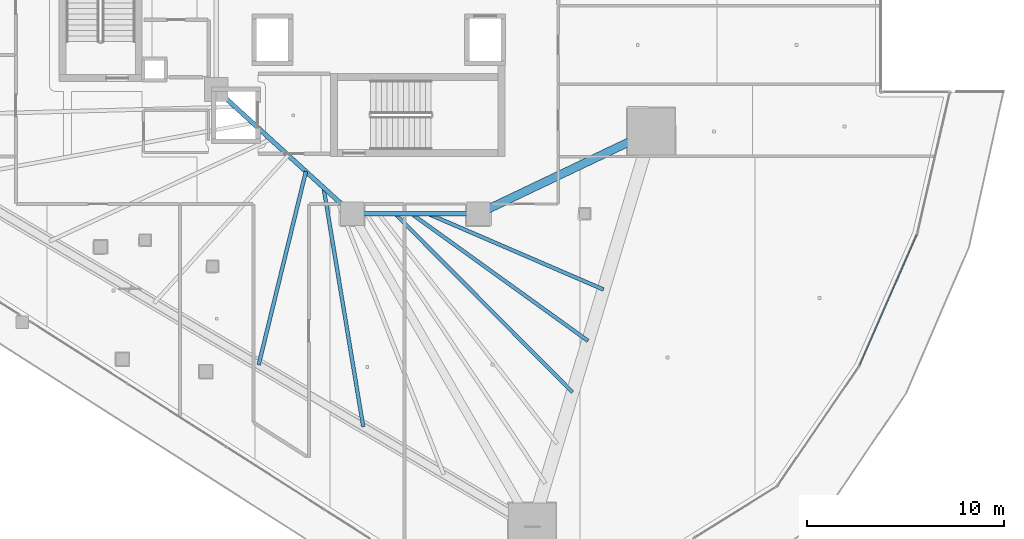
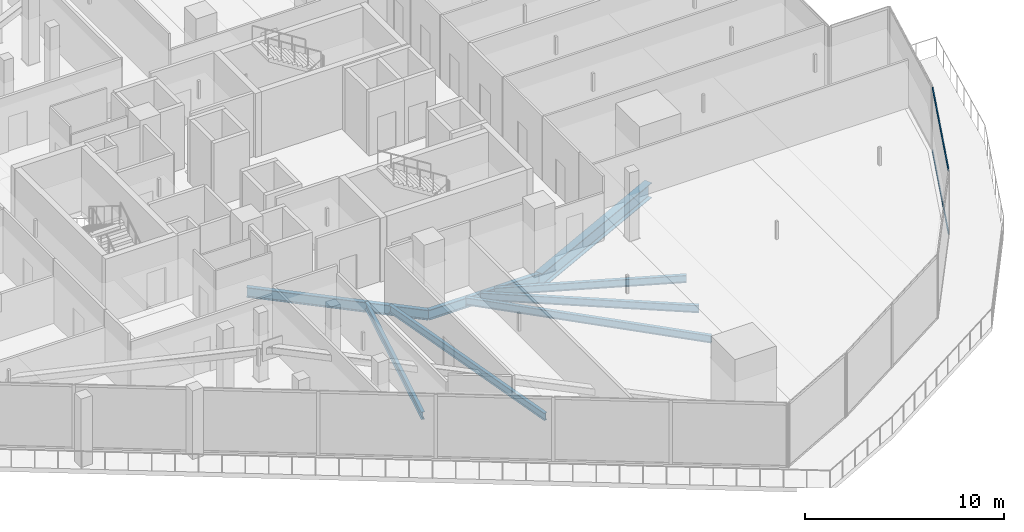
# One storey, part 14 of 52: 8 beams, 2 members, 1 element without a shape of its own.
"""IFC4 building model written with IfcOpenShell, lengths in metres."""

from ifc_helpers import new_model, si_unit, direction, frame, origin, origin_2d, place, context, subcontext, project, spatial, hollow_rectangle, i_section, extrude, material, layer, layer_set, material_profile, profile_set, type_object, element, aggregate, save


model = new_model("IFC4")

# Units and contexts
model_context = context("Model", 3, precision=1e-05, world=origin(), true_north=direction((0.0, 1.0)))
body_context = subcontext(model_context, "Body", "Model", "MODEL_VIEW")
ifc_project = project(units=[si_unit("LENGTHUNIT", "METRE"), si_unit("AREAUNIT", "SQUARE_METRE"), si_unit("VOLUMEUNIT", "CUBIC_METRE"), si_unit("PLANEANGLEUNIT", "RADIAN"), si_unit("MASSUNIT", "GRAM", prefix="KILO")], contexts=[model_context])

# Site, building, storey
site_placement = place(None, origin())
site = spatial("IfcSite", under=ifc_project, at=site_placement, CompositionType="ELEMENT")
building_placement = place(site_placement, origin())
building = spatial("IfcBuilding", under=site, at=building_placement, Name="Qorvath Tower", CompositionType="ELEMENT")
storey_placement = place(building_placement, frame((0.0, 0.0, 61.800048828125)))
storey = spatial("IfcBuildingStorey", under=building, at=storey_placement, Name="L13", CompositionType="ELEMENT", Elevation=61.800048828125)

# Beams
ifc_material_1 = material(Name="Steel ASTM A992 Grade 50", Category="steel")
ifc_material_profile_1 = material_profile(ifc_material_1, i_section(OverallWidth=0.422119140625, OverallDepth=0.93310546875, WebThickness=0.021240234375, FlangeThickness=0.039794921875, FilletRadius=0.02392578125, at=origin_2d()), Name="W36x262")
ifc_profile_set_1 = profile_set([ifc_material_profile_1], Name="Steel ASTM A992 Grade 50")
beam_type_1 = type_object("IfcBeamType", Name="BM-FG1", PredefinedType="BEAM", material=ifc_profile_set_1)
beam_1_placement = place(storey_placement, frame((-17.199951171875, -11.449951171875, -0.74658203125), z_axis=(0.902955751435, 0.429733534821, 0.0), x_axis=(-0.429733534821, 0.902955751435, 0.0)))
element("IfcBeam", 1, at=beam_1_placement, inside=storey, type_object=beam_type_1, Name="Radial Floor Girder CC3-MC4 L13", PredefinedType="BEAM", context=body_context, shape_type="SweptSolid", body=[
    extrude(i_section(OverallWidth=0.422119140625, OverallDepth=0.93310546875, WebThickness=0.021240234375, FlangeThickness=0.039794921875, FilletRadius=0.02392578125, at=origin_2d()), origin(), (0.0, 0.0, 1.0), 9.7119140625),
])
ifc_material_2 = material(Name="Steel ASTM A992 Grade 50", Category="steel")
ifc_material_profile_2 = material_profile(ifc_material_2, i_section(OverallWidth=0.22998046875, OverallDepth=0.616943359375, WebThickness=0.01318359375, FlangeThickness=0.022216796875, FilletRadius=0.014892578125, at=origin_2d()), Name="W24x94")
ifc_profile_set_2 = profile_set([ifc_material_profile_2], Name="Steel ASTM A992 Grade 50")
beam_type_2 = type_object("IfcBeamType", Name="BM-FG6", PredefinedType="BEAM", material=ifc_profile_set_2)
beam_2_placement = place(storey_placement, frame((-17.199951171875, -11.449951171875, -0.588623046875), z_axis=(-1.0, 0.0, 0.0), x_axis=(0.0, -1.0, 0.0)))
element("IfcBeam", 2, at=beam_2_placement, inside=storey, type_object=beam_type_2, Name="Core Ring Girder CC3-CC4 L13", PredefinedType="BEAM", context=body_context, shape_type="SweptSolid", body=[
    extrude(i_section(OverallWidth=0.22998046875, OverallDepth=0.616943359375, WebThickness=0.01318359375, FlangeThickness=0.022216796875, FilletRadius=0.014892578125, at=origin_2d()), origin(), (0.0, 0.0, 1.0), 6.400146484375),
])
beam_3_placement = place(storey_placement, frame((-23.60009765625, -11.449951171875, -0.588623046875), z_axis=(-0.73847813985, 0.6742774184, 0.0), x_axis=(-0.6742774184, -0.73847813985, 0.0)))
element("IfcBeam", 3, at=beam_3_placement, inside=storey, type_object=beam_type_2, Name="Core Ring Girder CC4-CC6 L13", PredefinedType="BEAM", context=body_context, shape_type="SweptSolid", body=[
    extrude(i_section(OverallWidth=0.22998046875, OverallDepth=0.616943359375, WebThickness=0.01318359375, FlangeThickness=0.022216796875, FilletRadius=0.014892578125, at=origin_2d()), origin(), (0.0, 0.0, 1.0), 9.343505859375),
])
ifc_material_3 = material(Name="Steel ASTM A992 Grade 50", Category="steel")
ifc_material_profile_3 = material_profile(ifc_material_3, i_section(OverallWidth=0.18994140625, OverallDepth=0.45703125, WebThickness=0.009033203125, FlangeThickness=0.014404296875, FilletRadius=0.011962890625, at=origin_2d()), Name="W18x50")
ifc_profile_set_3 = profile_set([ifc_material_profile_3], Name="Steel ASTM A992 Grade 50")
beam_type_3 = type_object("IfcBeamType", Name="BM-FJ2", PredefinedType="JOIST", material=ifc_profile_set_3)
beam_4_placement = place(storey_placement, frame((-19.760009765625, -11.449951171875, -0.508544921875), z_axis=(0.918135537923, -0.396266493667, 0.0), x_axis=(0.396266493667, 0.918135537923, 0.0)))
element("IfcBeam", 4, at=beam_4_placement, inside=storey, type_object=beam_type_3, Name="Composite Floor Joist SE3 L13", PredefinedType="JOIST", context=body_context, shape_type="SweptSolid", body=[
    extrude(i_section(OverallWidth=0.18994140625, OverallDepth=0.45703125, WebThickness=0.009033203125, FlangeThickness=0.014404296875, FilletRadius=0.011962890625, at=origin_2d()), origin(), (0.0, 0.0, 1.0), 9.7109375),
])
beam_5_placement = place(storey_placement, frame((-20.592041015625, -11.449951171875, -0.508544921875), z_axis=(0.811469358397, -0.584394969505, 0.0), x_axis=(0.584394969505, 0.811469358397, 0.0)))
element("IfcBeam", 5, at=beam_5_placement, inside=storey, type_object=beam_type_3, Name="Composite Floor Joist SE4 L13", PredefinedType="JOIST", context=body_context, shape_type="SweptSolid", body=[
    extrude(i_section(OverallWidth=0.18994140625, OverallDepth=0.45703125, WebThickness=0.009033203125, FlangeThickness=0.014404296875, FilletRadius=0.011962890625, at=origin_2d()), origin(), (0.0, 0.0, 1.0), 11.046142578125),
])
beam_6_placement = place(storey_placement, frame((-21.424072265625, -11.449951171875, -0.508544921875), z_axis=(0.705107654599, -0.709100271771, 0.0), x_axis=(0.709100271771, 0.705107654599, 0.0)))
element("IfcBeam", 6, at=beam_6_placement, inside=storey, type_object=beam_type_3, Name="Composite Floor Joist SE5 L13", PredefinedType="JOIST", context=body_context, shape_type="SweptSolid", body=[
    extrude(i_section(OverallWidth=0.18994140625, OverallDepth=0.45703125, WebThickness=0.009033203125, FlangeThickness=0.014404296875, FilletRadius=0.011962890625, at=origin_2d()), origin(), (0.0, 0.0, 1.0), 12.780029296875),
])
beam_7_placement = place(storey_placement, frame((-25.946044921875, -9.30810546875, -0.508544921875), z_axis=(-0.237165308581, -0.97146930801, 0.0), x_axis=(0.97146930801, -0.237165308581, 0.0)))
element("IfcBeam", 7, at=beam_7_placement, inside=storey, type_object=beam_type_3, Name="Composite Floor Joist SW5 L13", PredefinedType="JOIST", context=body_context, shape_type="SweptSolid", body=[
    extrude(i_section(OverallWidth=0.18994140625, OverallDepth=0.45703125, WebThickness=0.009033203125, FlangeThickness=0.014404296875, FilletRadius=0.011962890625, at=origin_2d()), origin(), (0.0, 0.0, 1.0), 10.104736328125),
])
beam_8_placement = place(storey_placement, frame((-25.049072265625, -10.126953125, -0.508544921875), z_axis=(0.163639384475, -0.98652022374, 0.0), x_axis=(0.98652022374, 0.163639384475, 0.0)))
element("IfcBeam", 8, at=beam_8_placement, inside=storey, type_object=beam_type_3, Name="Composite Floor Joist SW6 L13", PredefinedType="JOIST", context=body_context, shape_type="SweptSolid", body=[
    extrude(i_section(OverallWidth=0.18994140625, OverallDepth=0.45703125, WebThickness=0.009033203125, FlangeThickness=0.014404296875, FilletRadius=0.011962890625, at=origin_2d()), origin(), (0.0, 0.0, 1.0), 12.301025390625),
])

# Curtain wall, members
ifc_material_4 = material(Name="Anodised aluminium and triple low-E glass", Category="aluminium")
ifc_layer = layer(ifc_material_4, 0.179931640625)
ifc_layer_set = layer_set([ifc_layer], Name="CW-SYS-2")
curtain_wall_type = type_object("IfcCurtainWallType", Name="CW-SYS-2", PredefinedType="NOTDEFINED", material=ifc_layer_set)
curtain_wall_placement = place(storey_placement, origin())
curtain_wall = element("IfcCurtainWall", 9, at=curtain_wall_placement, inside=storey, type_object=curtain_wall_type, Name="Curtain Wall CW-2 CW-T-L13-6.1", PredefinedType="NOTDEFINED")
ifc_material_5 = material(Name="Anodised aluminium 6063-T6", Category="aluminium")
ifc_material_profile_4 = material_profile(ifc_material_5, hollow_rectangle(XDim=0.06494140625, YDim=0.159912109375, WallThickness=0.00341796875, InnerFilletRadius=0.00341796875, OuterFilletRadius=0.007080078125, at=origin_2d()), Name="CWT 160x65")
ifc_profile_set_4 = profile_set([ifc_material_profile_4], Name="Anodised aluminium 6063-T6")
member_type = type_object("IfcMemberType", Name="CWT-160", PredefinedType="USERDEFINED", material=ifc_profile_set_4)
member_1_placement = place(storey_placement, frame((2.149169921875, -19.132568359375, 0.032470703125), z_axis=(0.401254293677, 0.915966697979, 0.0), x_axis=(-0.915966697979, 0.401254293677, 0.0)))
member_1 = element("IfcMember", 10, at=member_1_placement, type_object=member_type, Name="CW-2 transom 1.1", ObjectType="TRANSOM", PredefinedType="USERDEFINED", context=body_context, shape_type="SweptSolid", body=[
    extrude(hollow_rectangle(XDim=0.06494140625, YDim=0.159912109375, WallThickness=0.00341796875, InnerFilletRadius=0.00341796875, OuterFilletRadius=0.007080078125, at=origin_2d()), origin(), (0.0, 0.0, 1.0), 7.234375),
])
member_2_placement = place(storey_placement, frame((2.149169921875, -19.132568359375, 3.887451171875), z_axis=(0.401254293677, 0.915966697979, 0.0), x_axis=(-0.915966697979, 0.401254293677, 0.0)))
member_2 = element("IfcMember", 11, at=member_2_placement, type_object=member_type, Name="CW-2 transom 1.2", ObjectType="TRANSOM", PredefinedType="USERDEFINED", context=body_context, shape_type="SweptSolid", body=[
    extrude(hollow_rectangle(XDim=0.06494140625, YDim=0.159912109375, WallThickness=0.00341796875, InnerFilletRadius=0.00341796875, OuterFilletRadius=0.007080078125, at=origin_2d()), origin(), (0.0, 0.0, 1.0), 7.234375),
])
aggregate(curtain_wall, [member_1, member_2])

save(model, "model.ifc")
